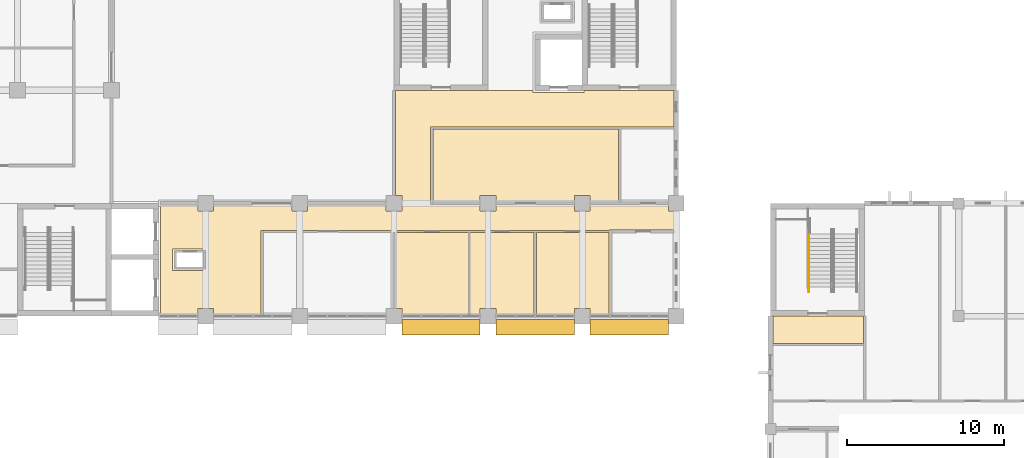
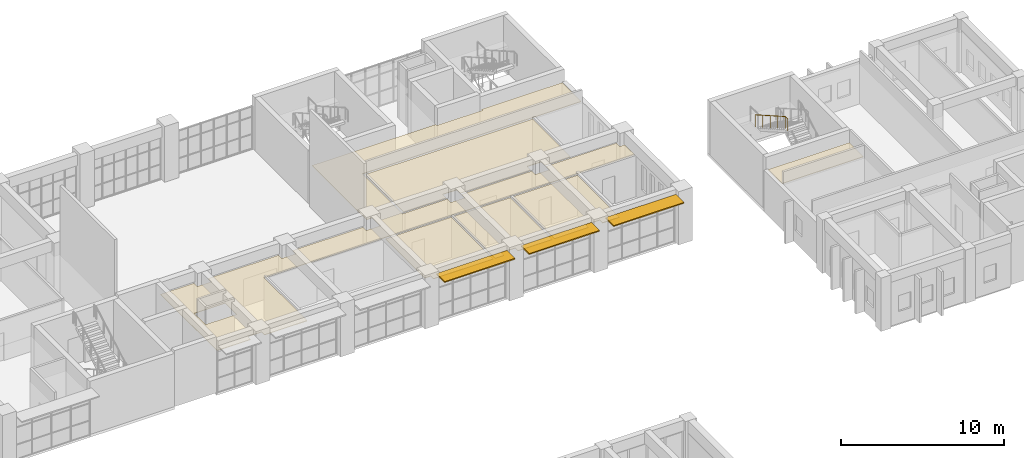
# One storey, part 88 of 92: 6 coverings, 3 shading devices, 1 railing.
"""IFC4 building model written with IfcOpenShell, lengths in metres."""

from ifc_helpers import new_model, si_unit, direction, frame, origin, origin_2d, place, context, subcontext, project, spatial, polyline, rectangle, circle, outline, extrude, material, layer, layer_set, type_object, element, save


model = new_model("IFC4")

# Units and contexts
model_context = context("Model", 3, precision=1e-05, world=origin(), true_north=direction((0.0, 1.0)))
body_context = subcontext(model_context, "Body", "Model", "MODEL_VIEW")
ifc_project = project(units=[si_unit("LENGTHUNIT", "METRE"), si_unit("AREAUNIT", "SQUARE_METRE"), si_unit("VOLUMEUNIT", "CUBIC_METRE"), si_unit("PLANEANGLEUNIT", "RADIAN"), si_unit("MASSUNIT", "GRAM", prefix="KILO")], contexts=[model_context])

# Site, building, storey
site_placement = place(None, origin())
site = spatial("IfcSite", under=ifc_project, at=site_placement, CompositionType="ELEMENT")
building_placement = place(site_placement, origin())
building = spatial("IfcBuilding", under=site, at=building_placement, Name="Laocheng Heights Fire and Rescue Headquarters", CompositionType="ELEMENT")
storey_placement = place(building_placement, frame((0.0, 0.0, 12.60009765625)))
storey = spatial("IfcBuildingStorey", under=building, at=storey_placement, Name="L03", CompositionType="ELEMENT", Elevation=12.60009765625)

# Shading devices
ifc_material_1 = material(Name="Precast concrete C40/50, light warm grey", Category="concrete")
ifc_layer_1 = layer(ifc_material_1, 0.080078125)
ifc_layer_set_1 = layer_set([ifc_layer_1], Name="Precast concrete C40/50, light warm grey")
shading_device_type = type_object("IfcShadingDeviceType", Name="PRECAST BLADE 1000 x 80 BLADE HQ SOUTH", PredefinedType="JALOUSIE", material=ifc_layer_set_1)
for number, where, z_axis, x_axis, name in (
    (1, (69.0, 49.699951171875, 3.559814453125), (0.0, 0.0, 1.0), (1.0, 0.0, 0.0), "BLADE HQ SOUTH L03"),
    (2, (75.0, 49.699951171875, 3.559814453125), (0.0, 0.0, 1.0), (1.0, 0.0, 0.0), "BLADE HQ SOUTH L03"),
    (3, (81.0, 49.699951171875, 3.559814453125), (0.0, 0.0, 1.0), (1.0, 0.0, 0.0), "BLADE HQ SOUTH L03"),
):
    element("IfcShadingDevice", number, at=place(storey_placement, frame(where, z_axis=z_axis, x_axis=x_axis)), inside=storey, type_object=shading_device_type, Name=name, PredefinedType="JALOUSIE", context=body_context, shape_type="SweptSolid", body=[
        extrude(rectangle(XDim=5.0, YDim=1.0, at=origin_2d()), origin(), (0.0, 0.0, 1.0), 0.080078125),
    ])

# Railing
ifc_material_2 = material(Name="Steel Q355B", Category="steel")
railing_type = type_object("IfcRailingType", Name="STAIR HANDRAIL 920", PredefinedType="HANDRAIL", material=ifc_material_2)
railing_placement = place(storey_placement, frame((92.445068359375, 55.929931640625, 2.099853515625)))
element("IfcRailing", 4, at=railing_placement, inside=storey, type_object=railing_type, Name="Stair C2 handrail L03 4", PredefinedType="HANDRAIL", context=body_context, shape_type="SweptSolid", body=[
    extrude(circle(Radius=0.02392578125, at=origin_2d()), frame((0.0, 0.0, 0.89599609375), z_axis=(0.0, -0.868519587458, 0.495654845838), x_axis=(1.0, 0.0, 0.0)), (0.0, 0.0, 1.0), 4.237060546875),
    extrude(circle(Radius=0.02392578125, at=origin_2d()), frame((0.0, -3.679931640625, 2.99609375), z_axis=(0.0, -1.0, 0.0), x_axis=(1.0, 0.0, 0.0)), (0.0, 0.0, 1.0), 0.300048828125),
    extrude(circle(Radius=0.02099609375, at=origin_2d()), origin(), (0.0, 0.0, 1.0), 0.871826171875),
    extrude(circle(Radius=0.02099609375, at=origin_2d()), frame((0.0, -0.919921875, 0.52490234375)), (0.0, 0.0, 1.0), 0.871826171875),
    extrude(circle(Radius=0.02099609375, at=origin_2d()), frame((0.0, -1.83984375, 1.050048828125)), (0.0, 0.0, 1.0), 0.871826171875),
    extrude(circle(Radius=0.02099609375, at=origin_2d()), frame((0.0, -2.760009765625, 1.5751953125)), (0.0, 0.0, 1.0), 0.871826171875),
    extrude(circle(Radius=0.02099609375, at=origin_2d()), frame((0.0, -3.679931640625, 2.10009765625)), (0.0, 0.0, 1.0), 0.871826171875),
    extrude(circle(Radius=0.02099609375, at=origin_2d()), frame((0.0, -3.97998046875, 2.10009765625)), (0.0, 0.0, 1.0), 0.871826171875),
])

# Coverings
ifc_material_3 = material(Name="Mineral fibre ceiling tile")
ifc_layer_2 = layer(ifc_material_3, 0.0400390625)
ifc_layer_set_2 = layer_set([ifc_layer_2], Name="Mineral fibre ceiling tile")
covering_type_1 = type_object("IfcCoveringType", Name="SUSPENDED CEILING MINERAL FIBRE TILE CREW WING", PredefinedType="CEILING", material=ifc_layer_set_2)
covering_1_placement = place(storey_placement, frame((0.0, 0.0, 3.0)))
element("IfcCovering", 5, at=covering_1_placement, inside=storey, type_object=covering_type_1, Name="Stair Lobby ceiling", PredefinedType="CEILING", context=body_context, shape_type="SweptSolid", body=[
    extrude(outline(polyline([(95.925048828125, 48.675048828125), (90.14990234375, 48.675048828125), (90.14990234375, 50.39990234375), (95.925048828125, 50.39990234375), (95.925048828125, 48.675048828125)])), origin(), (0.0, 0.0, 1.0), 0.039794921875),
])
ifc_material_4 = material(Name="Mineral fibre ceiling tile")
ifc_layer_3 = layer(ifc_material_4, 0.0400390625)
ifc_layer_set_3 = layer_set([ifc_layer_3], Name="Mineral fibre ceiling tile")
covering_type_2 = type_object("IfcCoveringType", Name="SUSPENDED CEILING MINERAL FIBRE TILE HQ WING", PredefinedType="CEILING", material=ifc_layer_set_3)
covering_2_placement = place(storey_placement, frame((0.0, 0.0, 3.0)))
element("IfcCovering", 6, at=covering_2_placement, inside=storey, type_object=covering_type_2, Name="Circulation ceiling", PredefinedType="CEILING", context=body_context, shape_type="SweptSolid", body=[
    extrude(outline(polyline([(74.875, 64.675048828125), (75.125, 64.675048828125), (77.875, 64.675048828125), (78.125, 64.675048828125), (78.125, 64.800048828125), (83.85009765625, 64.800048828125), (83.85009765625, 62.47509765625), (68.47509765625, 62.47509765625), (68.324951171875, 62.47509765625), (68.324951171875, 57.52490234375), (68.47509765625, 57.52490234375), (71.5, 57.52490234375), (71.5, 57.10009765625), (72.5, 57.10009765625), (72.5, 57.52490234375), (77.5, 57.52490234375), (77.5, 57.10009765625), (78.5, 57.10009765625), (78.5, 57.52490234375), (83.5, 57.52490234375), (83.5, 57.10009765625), (83.85009765625, 57.10009765625), (83.85009765625, 55.89990234375), (79.89990234375, 55.89990234375), (79.699951171875, 55.89990234375), (79.699951171875, 55.875), (57.675048828125, 55.875), (57.52490234375, 55.875), (57.52490234375, 50.550048828125), (54.5, 50.550048828125), (54.5, 50.89990234375), (53.5, 50.89990234375), (53.5, 50.550048828125), (51.125, 50.550048828125), (51.125, 53.875), (51.125, 54.125), (51.125, 57.47509765625), (51.125, 57.5), (53.5, 57.5), (53.5, 57.10009765625), (54.5, 57.10009765625), (54.5, 57.5), (59.5, 57.5), (59.5, 57.10009765625), (60.5, 57.10009765625), (60.5, 57.5), (65.5, 57.5), (65.5, 57.10009765625), (66.5, 57.10009765625), (66.5, 58.10009765625), (66.10009765625, 58.10009765625), (66.10009765625, 64.800048828125), (74.875, 64.800048828125), (74.875, 64.675048828125)]), holes=[polyline([(53.89990234375, 53.300048828125), (54.10009765625, 53.300048828125), (54.10009765625, 53.5), (54.10009765625, 54.5), (54.10009765625, 54.699951171875), (53.89990234375, 54.699951171875), (52.10009765625, 54.699951171875), (51.89990234375, 54.699951171875), (51.89990234375, 54.5), (51.89990234375, 53.5), (51.89990234375, 53.300048828125), (52.10009765625, 53.300048828125), (53.89990234375, 53.300048828125)])]), origin(), (0.0, 0.0, 1.0), 0.039794921875),
])
covering_3_placement = place(storey_placement, frame((0.0, 0.0, 3.0)))
element("IfcCovering", 7, at=covering_3_placement, inside=storey, type_object=covering_type_2, Name="Dispatch Support Room ceiling", PredefinedType="CEILING", context=body_context, shape_type="SweptSolid", body=[
    extrude(outline(polyline([(78.5, 57.675048828125), (78.5, 58.10009765625), (77.5, 58.10009765625), (77.5, 57.675048828125), (72.5, 57.675048828125), (72.5, 58.10009765625), (71.5, 58.10009765625), (71.5, 57.675048828125), (68.47509765625, 57.675048828125), (68.47509765625, 62.324951171875), (80.324951171875, 62.324951171875), (80.324951171875, 57.675048828125), (78.5, 57.675048828125)])), origin(), (0.0, 0.0, 1.0), 0.039794921875),
])
covering_4_placement = place(storey_placement, frame((0.0, 0.0, 3.0)))
element("IfcCovering", 8, at=covering_4_placement, inside=storey, type_object=covering_type_2, Name="Duty Commanders' Room ceiling", PredefinedType="CEILING", context=body_context, shape_type="SweptSolid", body=[
    extrude(outline(polyline([(70.739990234375, 55.72509765625), (70.739990234375, 50.550048828125), (66.5, 50.550048828125), (66.5, 50.89990234375), (66.074951171875, 50.89990234375), (66.074951171875, 55.72509765625), (70.739990234375, 55.72509765625)])), origin(), (0.0, 0.0, 1.0), 0.039794921875),
])
covering_5_placement = place(storey_placement, frame((0.0, 0.0, 3.0)))
element("IfcCovering", 9, at=covering_5_placement, inside=storey, type_object=covering_type_2, Name="Controllers' Rest Room ceiling", PredefinedType="CEILING", context=body_context, shape_type="SweptSolid", body=[
    extrude(outline(polyline([(74.925048828125, 55.72509765625), (74.925048828125, 50.550048828125), (72.5, 50.550048828125), (72.5, 50.89990234375), (71.5, 50.89990234375), (71.5, 50.550048828125), (70.860107421875, 50.550048828125), (70.860107421875, 55.72509765625), (74.925048828125, 55.72509765625)])), origin(), (0.0, 0.0, 1.0), 0.039794921875),
])
covering_6_placement = place(storey_placement, frame((0.0, 0.0, 3.0)))
element("IfcCovering", 10, at=covering_6_placement, inside=storey, type_object=covering_type_2, Name="Toilets ceiling", PredefinedType="CEILING", context=body_context, shape_type="SweptSolid", body=[
    extrude(outline(polyline([(75.074951171875, 55.72509765625), (79.699951171875, 55.72509765625), (79.699951171875, 50.550048828125), (78.5, 50.550048828125), (78.5, 50.89990234375), (77.5, 50.89990234375), (77.5, 50.550048828125), (75.074951171875, 50.550048828125), (75.074951171875, 55.72509765625)])), origin(), (0.0, 0.0, 1.0), 0.039794921875),
])

save(model, "model.ifc")
